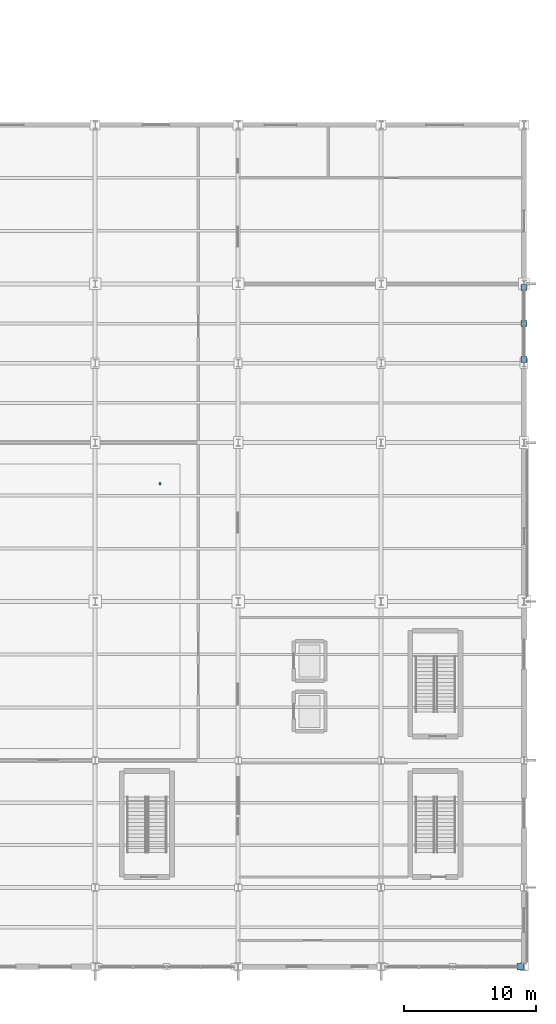
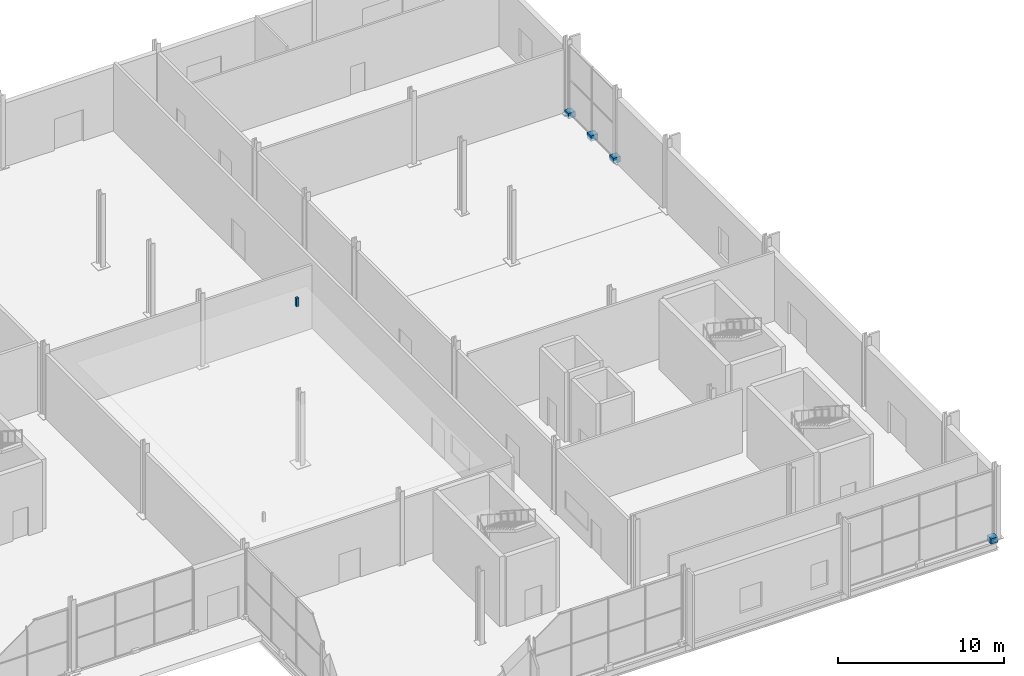
# One storey, part 189 of 196: 5 discrete accessories.
"""IFC4 building model written with IfcOpenShell, lengths in metres."""

from ifc_helpers import new_model, si_unit, direction, frame, origin, origin_2d, place, context, subcontext, project, spatial, rectangle, extrude, material, layer, layer_set, type_object, element, save


model = new_model("IFC4")

# Units and contexts
model_context = context("Model", 3, precision=1e-05, world=origin(), true_north=direction((0.0, 1.0)))
body_context = subcontext(model_context, "Body", "Model", "MODEL_VIEW")
ifc_project = project(units=[si_unit("LENGTHUNIT", "METRE"), si_unit("AREAUNIT", "SQUARE_METRE"), si_unit("VOLUMEUNIT", "CUBIC_METRE"), si_unit("PLANEANGLEUNIT", "RADIAN"), si_unit("MASSUNIT", "GRAM", prefix="KILO")], contexts=[model_context])

# Site, building, storey
site_placement = place(None, origin())
site = spatial("IfcSite", under=ifc_project, at=site_placement, CompositionType="ELEMENT")
building_placement = place(site_placement, origin())
building = spatial("IfcBuilding", under=site, at=building_placement, Name="Merenkruunu Market Hall", CompositionType="ELEMENT")
storey_placement = place(building_placement, origin())
storey = spatial("IfcBuildingStorey", under=building, at=storey_placement, Name="L00", CompositionType="ELEMENT", Elevation=0.0)

# Discrete accessories
ifc_material = material(Name="Brushed stainless steel", Category="steel")
ifc_layer = layer(ifc_material, 0.159912109375)
ifc_layer_set = layer_set([ifc_layer], Name="Brushed stainless steel")
discrete_accessory_type = type_object("IfcDiscreteAccessoryType", Name="Stainless Facade Support Bracket BRK01", PredefinedType="BRACKET", material=ifc_layer_set)
for number, where, z_axis, x_axis, name in (
    (1, (191.719970703125, 0.0, -0.199951171875), (0.0, 0.0, 1.0), (1.0, 0.0, 0.0), "ACC-CWBRK-202-1"),
    (2, (192.0, 51.320068359375, -0.199951171875), (0.0, 0.0, 1.0), (1.0, 0.0, 0.0), "ACC-CWBRK-203-1"),
    (3, (192.0, 48.60009765625, -0.199951171875), (0.0, 0.0, 1.0), (1.0, 0.0, 0.0), "ACC-CWBRK-203-2"),
    (4, (192.0, 45.8798828125, -0.199951171875), (0.0, 0.0, 1.0), (1.0, 0.0, 0.0), "ACC-CWBRK-203-3"),
):
    element("IfcDiscreteAccessory", number, at=place(storey_placement, frame(where, z_axis=z_axis, x_axis=x_axis)), inside=storey, type_object=discrete_accessory_type, Name=name, PredefinedType="BRACKET", context=body_context, shape_type="SweptSolid", body=[
        extrude(rectangle(XDim=0.47998046875, YDim=0.47998046875, at=origin_2d()), origin(), (0.0, 0.0, 1.0), 0.39990234375),
    ])
discrete_accessory_placement = place(storey_placement, frame((164.5, 36.5, 4.449951171875), z_axis=(0.0, 0.0, 1.0), x_axis=(1.0, 0.0, 0.0)))
element("IfcDiscreteAccessory", 5, at=discrete_accessory_placement, inside=storey, type_object=discrete_accessory_type, Name="ACC-CLGHNG-2-2", PredefinedType="BRACKET", context=body_context, shape_type="SweptSolid", body=[
    extrude(rectangle(XDim=0.159912109375, YDim=0.159912109375, at=origin_2d()), origin(), (0.0, 0.0, 1.0), 0.64990234375),
])

save(model, "model.ifc")
